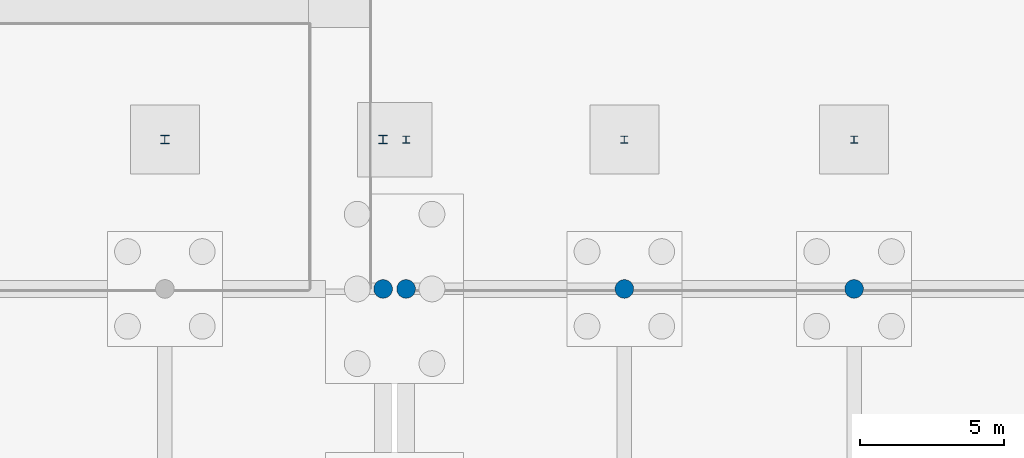
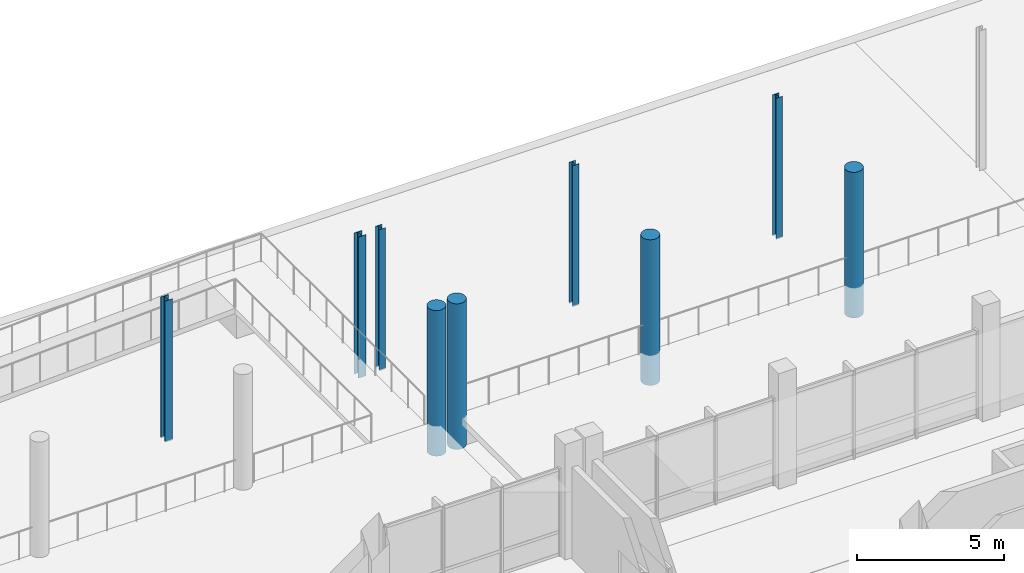
# One storey, part 18 of 72: 9 columns.
"""IFC4 building model written with IfcOpenShell, lengths in metres."""

from ifc_helpers import new_model, si_unit, direction, frame, origin, origin_2d, place, context, subcontext, project, spatial, circle, i_section, extrude, material, material_profile, profile_set, type_object, element, save


model = new_model("IFC4")

# Units and contexts
model_context = context("Model", 3, precision=1e-05, world=origin(), true_north=direction((0.0, 1.0)))
body_context = subcontext(model_context, "Body", "Model", "MODEL_VIEW")
ifc_project = project(units=[si_unit("LENGTHUNIT", "METRE"), si_unit("AREAUNIT", "SQUARE_METRE"), si_unit("VOLUMEUNIT", "CUBIC_METRE"), si_unit("PLANEANGLEUNIT", "RADIAN"), si_unit("MASSUNIT", "GRAM", prefix="KILO"), si_unit("THERMODYNAMICTEMPERATUREUNIT", "KELVIN"), si_unit("POWERUNIT", "WATT")], contexts=[model_context])

# Site, building, storey
site_placement = place(None, origin())
site = spatial("IfcSite", under=ifc_project, at=site_placement, CompositionType="ELEMENT")
building_placement = place(site_placement, origin())
building = spatial("IfcBuilding", under=site, at=building_placement, Name="Kronsvod Quay Wholesale Market", CompositionType="ELEMENT")
storey_placement = place(building_placement, origin())
storey = spatial("IfcBuildingStorey", under=building, at=storey_placement, Name="L00", CompositionType="ELEMENT", Elevation=0.0)

# Columns
ifc_material_1 = material(Name="Precast concrete C40/50", Category="concrete")
ifc_material_profile_1 = material_profile(ifc_material_1, circle(Radius=0.324951171875, at=origin_2d()), Name="PCPIL650D")
ifc_profile_set_1 = profile_set([ifc_material_profile_1], Name="Precast concrete C40/50")
column_type_1 = type_object("IfcColumnType", Name="Col_Pilotis650D", PredefinedType="COLUMN", material=ifc_profile_set_1)
for number, where, z_axis, x_axis, name in (
    (1, (127.60009765625, 126.0, -1.25), (0.0, 0.0, 1.0), (1.0, 0.0, 0.0), "COLG-L00-1276-1260"),
    (2, (128.39990234375, 126.0, -1.25), (0.0, 0.0, 1.0), (1.0, 0.0, 0.0), "COLG-L00-1284-1260"),
    (3, (136.0, 126.0, -1.25), (0.0, 0.0, 1.0), (1.0, 0.0, 0.0), "COLG-L00-1360-1260"),
    (4, (144.0, 126.0, -1.25), (0.0, 0.0, 1.0), (1.0, 0.0, 0.0), "COLG-L00-1440-1260"),
):
    element("IfcColumn", number, at=place(storey_placement, frame(where, z_axis=z_axis, x_axis=x_axis)), inside=storey, type_object=column_type_1, Name=name, PredefinedType="COLUMN", context=body_context, shape_type="SweptSolid", body=[
        extrude(circle(Radius=0.324951171875, at=origin_2d()), origin(), (0.0, 0.0, 1.0), 6.050048828125),
    ])
ifc_material_2 = material(Name="Steel S355", Category="steel")
ifc_material_profile_2 = material_profile(ifc_material_2, i_section(OverallWidth=0.2490234375, OverallDepth=0.24609375, WebThickness=0.008056640625, FlangeThickness=0.011962890625, FilletRadius=0.014892578125, at=origin_2d()), Name="25K1")
ifc_profile_set_2 = profile_set([ifc_material_profile_2], Name="Steel S355")
column_type_2 = type_object("IfcColumnType", Name="Col_Steel25K1", PredefinedType="COLUMN", material=ifc_profile_set_2)
for number, where, z_axis, x_axis, name in (
    (5, (128.39990234375, 131.199951171875, -1.25), (0.0, 0.0, 1.0), (1.0, 0.0, 0.0), "SCOL-CAN-L00-15"),
    (6, (136.0, 131.199951171875, -1.25), (0.0, 0.0, 1.0), (1.0, 0.0, 0.0), "SCOL-CAN-L00-16"),
    (7, (144.0, 131.199951171875, -1.25), (0.0, 0.0, 1.0), (1.0, 0.0, 0.0), "SCOL-CAN-L00-17"),
):
    element("IfcColumn", number, at=place(storey_placement, frame(where, z_axis=z_axis, x_axis=x_axis)), inside=storey, type_object=column_type_2, Name=name, PredefinedType="COLUMN", context=body_context, shape_type="SweptSolid", body=[
        extrude(i_section(OverallWidth=0.2490234375, OverallDepth=0.24609375, WebThickness=0.008056640625, FlangeThickness=0.011962890625, FilletRadius=0.014892578125, at=origin_2d()), origin(), (0.0, 0.0, 1.0), 5.860107421875),
    ])
ifc_material_3 = material(Name="Steel S355", Category="steel")
ifc_material_profile_3 = material_profile(ifc_material_3, i_section(OverallWidth=0.299072265625, OverallDepth=0.298095703125, WebThickness=0.009033203125, FlangeThickness=0.013916015625, FilletRadius=0.01806640625, at=origin_2d()), Name="30K1")
ifc_profile_set_3 = profile_set([ifc_material_profile_3], Name="Steel S355")
column_type_3 = type_object("IfcColumnType", Name="Col_Steel30K1", PredefinedType="COLUMN", material=ifc_profile_set_3)
for number, where, z_axis, x_axis, name in (
    (8, (120.0, 131.199951171875, -1.25), (0.0, 0.0, 1.0), (1.0, 0.0, 0.0), "SCOL-CAN-L00-13"),
    (9, (127.60009765625, 131.199951171875, -1.25), (0.0, 0.0, 1.0), (1.0, 0.0, 0.0), "SCOL-CAN-L00-14"),
):
    element("IfcColumn", number, at=place(storey_placement, frame(where, z_axis=z_axis, x_axis=x_axis)), inside=storey, type_object=column_type_3, Name=name, PredefinedType="COLUMN", context=body_context, shape_type="SweptSolid", body=[
        extrude(i_section(OverallWidth=0.299072265625, OverallDepth=0.298095703125, WebThickness=0.009033203125, FlangeThickness=0.013916015625, FilletRadius=0.01806640625, at=origin_2d()), origin(), (0.0, 0.0, 1.0), 5.860107421875),
    ])

save(model, "model.ifc")
